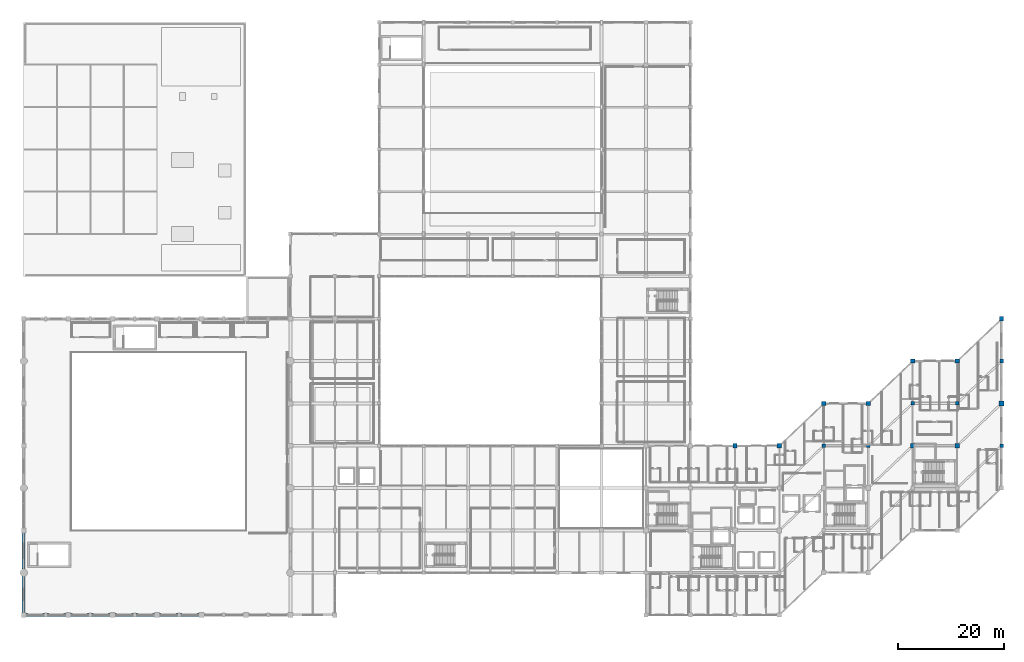
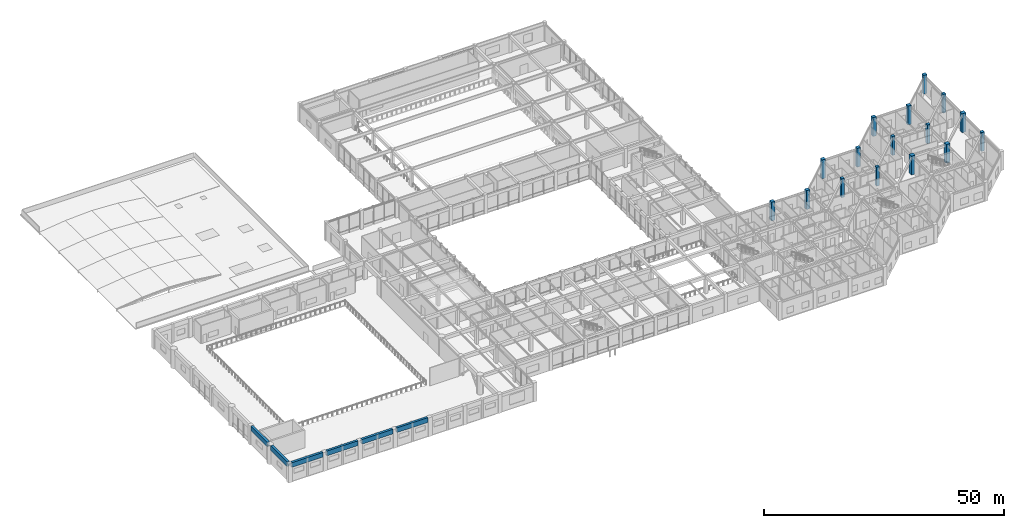
# One storey, part 10 of 76: 16 columns, 6 beams.
"""IFC4 building model written with IfcOpenShell, lengths in metres."""

import ifcopenshell
import ifcopenshell.guid

model = None  # the IFC model being written
_history = None  # IfcOwnerHistory: only IFC2X3 demands one
_inside = {}  # id of a spatial element -> (the spatial element, [elements in it])
_under = {}  # id of a project, library or spatial element -> (it, [spatial elements below it])
_declared = {}  # id of a project -> (the project, [libraries it declares])
_typed = {}  # id of a type object -> (the type object, [elements of that type])
_made_of = {}  # id of a material, layer set ... -> (it, [elements and type objects made of it])


def new_model(schema):
    """Start an empty IFC model of exactly this schema.

    Asked for "IFC4X3", IfcOpenShell would pick the latest addendum, in which some entities
    have other attributes; the version numbers below select the first issue.
    IFC2X3 requires an IfcOwnerHistory on every rooted entity: one is made here for all.
    """
    global model, _history
    if schema == "IFC4X3":
        model = ifcopenshell.file(schema_version=(4, 3, 0, 0))
    else:
        model = ifcopenshell.file(schema=schema)
    _inside.clear()
    _under.clear()
    _declared.clear()
    _typed.clear()
    _made_of.clear()
    _history = None
    if model.schema == "IFC2X3":
        org = make("IfcOrganization", Name="unknown")
        user = make(
            "IfcPersonAndOrganization",
            ThePerson=make("IfcPerson", FamilyName="unknown"),
            TheOrganization=org,
        )
        app = make(
            "IfcApplication",
            ApplicationDeveloper=org,
            Version="unknown",
            ApplicationFullName="unknown",
            ApplicationIdentifier="unknown",
        )
        _history = make(
            "IfcOwnerHistory",
            OwningUser=user,
            OwningApplication=app,
            ChangeAction="ADDED",
            CreationDate=0,
        )
    return model


def make(cls, **values):
    """One entity of the class cls with the attributes given. An attribute that is None is left unset."""
    return model.create_entity(
        cls, **{name: value for name, value in values.items() if value is not None}
    )


def rooted(cls, **values):
    """An entity with a GlobalId (a new one), such as an element, a storey or a relation."""
    return make(cls, GlobalId=ifcopenshell.guid.new(), OwnerHistory=_history, **values)


def si_unit(unit_type, name, prefix=None):
    """IfcSIUnit, for example si_unit("LENGTHUNIT", "METRE", prefix="MILLI")."""
    return make("IfcSIUnit", UnitType=unit_type, Prefix=prefix, Name=name)


def assignment(units):
    """IfcUnitAssignment: the units of a project."""
    return None if units is None else make("IfcUnitAssignment", Units=units)


def point(xyz):
    """IfcCartesianPoint."""
    return None if xyz is None else make("IfcCartesianPoint", Coordinates=xyz)


def direction(xyz):
    """IfcDirection."""
    return None if xyz is None else make("IfcDirection", DirectionRatios=xyz)


def frame(location, z_axis=None, x_axis=None):
    """IfcAxis2Placement3D, a coordinate frame: its origin and axes. An axis left out is left unset."""
    return make(
        "IfcAxis2Placement3D",
        Location=point(location),
        Axis=direction(z_axis),
        RefDirection=direction(x_axis),
    )


def frame_2d(location, x_axis=None):
    """IfcAxis2Placement2D, a coordinate frame in the plane: its origin and x axis."""
    return make(
        "IfcAxis2Placement2D", Location=point(location), RefDirection=direction(x_axis)
    )


def origin():
    """The frame at (0, 0, 0) with its axes left unset."""
    return frame((0.0, 0.0, 0.0))


def origin_2d():
    """The frame at (0, 0) in the plane with its x axis left unset."""
    return frame_2d((0.0, 0.0))


def place(relative_to, where):
    """IfcLocalPlacement: puts the frame where relative to a parent placement (None: the world)."""
    return make(
        "IfcLocalPlacement", PlacementRelTo=relative_to, RelativePlacement=where
    )


def context(
    kind, dimensions, precision=None, world=None, true_north=None, identifier=None
):
    """IfcGeometricRepresentationContext, for example the 3D "Model" context."""
    return make(
        "IfcGeometricRepresentationContext",
        ContextIdentifier=identifier,
        ContextType=kind,
        CoordinateSpaceDimension=dimensions,
        Precision=precision,
        WorldCoordinateSystem=world,
        TrueNorth=true_north,
    )


def subcontext(parent, identifier, kind, view, scale=None):
    """IfcGeometricRepresentationSubContext, for example "Body" below "Model"."""
    return make(
        "IfcGeometricRepresentationSubContext",
        ContextIdentifier=identifier,
        ContextType=kind,
        ParentContext=parent,
        TargetScale=scale,
        TargetView=view,
    )


def project(units=None, contexts=None):
    """IfcProject with its units and contexts."""
    return rooted(
        "IfcProject",
        Name="project",
        RepresentationContexts=contexts,
        UnitsInContext=assignment(units),
    )


def spatial(cls, under=None, at=None, **own):
    """A site, building, storey or space (cls), placed at a placement, below another one or the project."""
    s = rooted(cls, ObjectPlacement=at, **own)
    if under is not None:
        _under.setdefault(under.id(), (under, []))[1].append(s)
    return s


def profile(cls, at=None, kind="AREA", **sizes):
    """A parametric profile (cls). Its sizes go by their IFC names, for example OverallWidth=200.0."""
    return make(cls, ProfileType=kind, Position=at, **sizes)


def rectangle(**sizes):
    """IfcRectangleProfileDef."""
    return profile("IfcRectangleProfileDef", **sizes)


def hollow_rectangle(**sizes):
    """IfcRectangleHollowProfileDef."""
    return profile("IfcRectangleHollowProfileDef", **sizes)


def extrude(swept, where, along, depth):
    """IfcExtrudedAreaSolid: the profile swept, set in the frame where, extruded along a direction by depth."""
    return make(
        "IfcExtrudedAreaSolid",
        SweptArea=swept,
        Position=where,
        ExtrudedDirection=direction(along),
        Depth=depth,
    )


def shape(context_of_items, identifier, shape_type, items):
    """IfcShapeRepresentation: the items that make up one representation, for example the "Body"."""
    return make(
        "IfcShapeRepresentation",
        ContextOfItems=context_of_items,
        RepresentationIdentifier=identifier,
        RepresentationType=shape_type,
        Items=items,
    )


def material(Name=None, Category=None):
    """IfcMaterial."""
    return make("IfcMaterial", Name=Name, Category=Category)


def material_profile(
    of_material, cross_section, Name=None, Category=None, Priority=None
):
    """IfcMaterialProfile: a cross section and its material."""
    return make(
        "IfcMaterialProfile",
        Name=Name,
        Material=of_material,
        Profile=cross_section,
        Priority=Priority,
        Category=Category,
    )


def profile_set(profiles, Name=None, composite=None):
    """IfcMaterialProfileSet."""
    return make(
        "IfcMaterialProfileSet",
        Name=Name,
        MaterialProfiles=profiles,
        CompositeProfile=composite,
    )


def made_of(thing, what):
    """Note that an element or type object is made of a material, layer set ...; save() writes the relation."""
    if what is not None:
        _made_of.setdefault(what.id(), (what, []))[1].append(thing)
    return thing


def type_object(cls, material=None, **own):
    """A type object (cls), such as IfcWallType, which elements share."""
    return made_of(rooted(cls, **own), material)


def element(
    cls,
    number,
    at=None,
    inside=None,
    cuts=None,
    type_object=None,
    material=None,
    context=None,
    identifier="Body",
    shape_type=None,
    held_by="IfcProductDefinitionShape",
    body=None,
    shapes=None,
    **own,
):
    """One element of the class cls, such as IfcWall. Its Tag is "e" and its number.

    at: its placement. inside: the storey or other place that contains it. cuts: it is an
    opening in that element (IfcRelVoidsElement). A single representation is given by context,
    identifier, shape_type and body (its items); several are given by shapes. held_by: the class
    of the entity that holds the representations. save() writes the other relations.
    """
    e = rooted(cls, Tag="e%d" % number, ObjectPlacement=at, **own)
    if body is not None:
        shapes = [shape(context, identifier, shape_type, body)]
    if shapes is not None:
        e.Representation = make(held_by, Representations=shapes)
    if inside is not None:
        _inside.setdefault(inside.id(), (inside, []))[1].append(e)
    if cuts is not None:
        rooted(
            "IfcRelVoidsElement", RelatingBuildingElement=cuts, RelatedOpeningElement=e
        )
    if type_object is not None:
        _typed.setdefault(type_object.id(), (type_object, []))[1].append(e)
    return made_of(e, material)


def aggregate(whole, parts):
    """IfcRelAggregates: a whole, such as a stair, and the parts it consists of."""
    return rooted("IfcRelAggregates", RelatingObject=whole, RelatedObjects=parts)


def save(model, path):
    """Write the relations noted so far, then the file.

    IfcRelAggregates (storeys below a building ...), IfcRelContainedInSpatialStructure (elements
    in a storey), IfcRelDefinesByType, IfcRelAssociatesMaterial and IfcRelDeclares: one each for
    every whole, place, type object, material and project.
    """
    for whole, parts in _under.values():
        aggregate(whole, parts)
    for where, things in _inside.values():
        rooted(
            "IfcRelContainedInSpatialStructure",
            RelatedElements=things,
            RelatingStructure=where,
        )
    for kind, things in _typed.values():
        rooted("IfcRelDefinesByType", RelatedObjects=things, RelatingType=kind)
    for what, things in _made_of.values():
        rooted("IfcRelAssociatesMaterial", RelatedObjects=things, RelatingMaterial=what)
    for by, libraries in _declared.values():
        rooted("IfcRelDeclares", RelatingContext=by, RelatedDefinitions=libraries)
    model.write(path)


model = new_model("IFC4")

# Units and contexts
model_context = context("Model", 3, precision=1e-05, world=origin(), true_north=direction((0.0, 1.0)))
body_context = subcontext(model_context, "Body", "Model", "MODEL_VIEW")
ifc_project = project(units=[si_unit("LENGTHUNIT", "METRE"), si_unit("AREAUNIT", "SQUARE_METRE"), si_unit("VOLUMEUNIT", "CUBIC_METRE"), si_unit("PLANEANGLEUNIT", "RADIAN"), si_unit("MASSUNIT", "GRAM", prefix="KILO")], contexts=[model_context])

# Site, building, storey
site_placement = place(None, origin())
site = spatial("IfcSite", under=ifc_project, at=site_placement, CompositionType="ELEMENT")
building_placement = place(site_placement, origin())
building = spatial("IfcBuilding", under=site, at=building_placement, Name="Naruveol Harbour Congress Hotel", CompositionType="ELEMENT")
storey_placement = place(building_placement, frame((0.0, 0.0, 11.39990234375)))
storey = spatial("IfcBuildingStorey", under=building, at=storey_placement, Name="L02", CompositionType="ELEMENT", Elevation=11.39990234375)

# Columns
ifc_material_1 = material(Name="Concrete C40/50", Category="concrete")
ifc_material_profile_1 = material_profile(ifc_material_1, rectangle(XDim=0.699951171875, YDim=0.699951171875, at=origin_2d()), Name="RC-700x700")
ifc_profile_set_1 = profile_set([ifc_material_profile_1], Name="Concrete C40/50")
column_type_1 = type_object("IfcColumnType", Name="RC HOTEL COLUMN 700X700", PredefinedType="COLUMN", material=ifc_profile_set_1)
for number, where, z_axis, x_axis, name in (
    (1, (151.199951171875, 32.0, 0.0), (0.0, 0.0, 1.0), (1.0, 0.0, 0.0), "Planted hotel column C-700 L02 S4/J3"),
    (2, (159.60009765625, 32.0, 0.0), (0.0, 0.0, 1.0), (1.0, 0.0, 0.0), "Planted hotel column C-700 L02 S5/J3"),
    (3, (168.0, 40.0, 0.0), (0.0, 0.0, 1.0), (1.0, 0.0, 0.0), "Planted hotel column C-700 L02 S6/J3"),
    (4, (176.39990234375, 40.0, 0.0), (0.0, 0.0, 1.0), (1.0, 0.0, 0.0), "Planted hotel column C-700 L02 S7/J3"),
    (5, (184.800048828125, 32.0, 0.0), (0.0, 0.0, 1.0), (1.0, 0.0, 0.0), "Planted hotel column C-700 L02 S8/J1"),
    (6, (184.800048828125, 48.0, 0.0), (0.0, 0.0, 1.0), (1.0, 0.0, 0.0), "Planted hotel column C-700 L02 S8/J3"),
):
    element("IfcColumn", number, at=place(storey_placement, frame(where, z_axis=z_axis, x_axis=x_axis)), inside=storey, type_object=column_type_1, Name=name, PredefinedType="COLUMN", context=body_context, shape_type="SweptSolid", body=[
        extrude(rectangle(XDim=0.699951171875, YDim=0.699951171875, at=origin_2d()), origin(), (0.0, 0.0, 1.0), 4.800048828125),
    ])
ifc_material_2 = material(Name="Concrete C50/60", Category="concrete")
ifc_material_profile_2 = material_profile(ifc_material_2, rectangle(XDim=0.800048828125, YDim=0.800048828125, at=origin_2d()), Name="RC-800x800")
ifc_profile_set_2 = profile_set([ifc_material_profile_2], Name="Concrete C50/60")
column_type_2 = type_object("IfcColumnType", Name="RC PODIUM COLUMN 800X800", PredefinedType="COLUMN", material=ifc_profile_set_2)
for number, where, z_axis, x_axis, name in (
    (7, (134.39990234375, 32.0, 0.0), (0.0, 0.0, 1.0), (1.0, 0.0, 0.0), "Column C-800 L02 (134.4,32.0)"),
    (8, (142.800048828125, 32.0, 0.0), (0.0, 0.0, 1.0), (1.0, 0.0, 0.0), "Column C-800 L02 (142.8,32.0)"),
    (9, (151.199951171875, 40.0, 0.0), (0.0, 0.0, 1.0), (1.0, 0.0, 0.0), "Column C-800 L02 (151.2,40.0)"),
    (10, (159.60009765625, 40.0, 0.0), (0.0, 0.0, 1.0), (1.0, 0.0, 0.0), "Column C-800 L02 (159.6,40.0)"),
    (11, (168.0, 48.0, 0.0), (0.0, 0.0, 1.0), (1.0, 0.0, 0.0), "Column C-800 L02 (168.0,48.0)"),
    (12, (176.39990234375, 48.0, 0.0), (0.0, 0.0, 1.0), (1.0, 0.0, 0.0), "Column C-800 L02 (176.4,48.0)"),
    (13, (184.800048828125, 56.0, 0.0), (0.0, 0.0, 1.0), (1.0, 0.0, 0.0), "Column C-800 L02 (184.8,56.0)"),
):
    element("IfcColumn", number, at=place(storey_placement, frame(where, z_axis=z_axis, x_axis=x_axis)), inside=storey, type_object=column_type_2, Name=name, PredefinedType="COLUMN", context=body_context, shape_type="SweptSolid", body=[
        extrude(rectangle(XDim=0.800048828125, YDim=0.800048828125, at=origin_2d()), origin(), (0.0, 0.0, 1.0), 4.800048828125),
    ])
ifc_material_3 = material(Name="Concrete C50/60", Category="concrete")
ifc_material_profile_3 = material_profile(ifc_material_3, rectangle(XDim=0.89990234375, YDim=0.89990234375, at=origin_2d()), Name="RC-900x900")
ifc_profile_set_3 = profile_set([ifc_material_profile_3], Name="Concrete C50/60")
column_type_3 = type_object("IfcColumnType", Name="RC PRIMARY COLUMN 900X900", PredefinedType="COLUMN", material=ifc_profile_set_3)
for number, where, z_axis, x_axis, name in (
    (14, (168.0, 32.0, 0.0), (0.0, 0.0, 1.0), (1.0, 0.0, 0.0), "Column C-900 L02 (168.0,32.0)"),
    (15, (176.39990234375, 32.0, 0.0), (0.0, 0.0, 1.0), (1.0, 0.0, 0.0), "Column C-900 L02 (176.4,32.0)"),
    (16, (184.800048828125, 40.0, 0.0), (0.0, 0.0, 1.0), (1.0, 0.0, 0.0), "Column C-900 L02 (184.8,40.0)"),
):
    element("IfcColumn", number, at=place(storey_placement, frame(where, z_axis=z_axis, x_axis=x_axis)), inside=storey, type_object=column_type_3, Name=name, PredefinedType="COLUMN", context=body_context, shape_type="SweptSolid", body=[
        extrude(rectangle(XDim=0.89990234375, YDim=0.89990234375, at=origin_2d()), origin(), (0.0, 0.0, 1.0), 4.800048828125),
    ])

# Beams
ifc_material_4 = material(Name="Steel SN490", Category="steel")
ifc_material_profile_4 = material_profile(ifc_material_4, hollow_rectangle(XDim=0.550048828125, YDim=1.199951171875, WallThickness=0.028076171875, at=origin_2d()), Name="RHS-1200x550x28")
ifc_profile_set_4 = profile_set([ifc_material_profile_4], Name="Steel SN490")
beam_type = type_object("IfcBeamType", Name="STEEL RING BOX GIRDER 1200X550", PredefinedType="BEAM", material=ifc_profile_set_4)
for number, where, z_axis, x_axis, name in (
    (17, (0.446044921875, 0.0, 4.2001953125), (1.0, 0.0, 0.0), (0.0, 1.0, 0.0), "Congress ring girder RG1"),
    (18, (8.845947265625, 0.0, 4.2001953125), (1.0, 0.0, 0.0), (0.0, 1.0, 0.0), "Congress ring girder RG1"),
):
    element("IfcBeam", number, at=place(storey_placement, frame(where, z_axis=z_axis, x_axis=x_axis)), inside=storey, type_object=beam_type, Name=name, PredefinedType="BEAM", context=body_context, shape_type="SweptSolid", body=[
        extrude(hollow_rectangle(XDim=0.550048828125, YDim=1.199951171875, WallThickness=0.028076171875, at=origin_2d()), origin(), (0.0, 0.0, 1.0), 7.508056640625),
    ])
beam_1_placement = place(storey_placement, frame((17.24609375, 0.0, 4.2001953125), z_axis=(1.0, 0.0, 0.0), x_axis=(0.0, 1.0, 0.0)))
element("IfcBeam", 19, at=beam_1_placement, inside=storey, type_object=beam_type, Name="Congress ring girder RG1", PredefinedType="BEAM", context=body_context, shape_type="SweptSolid", body=[
    extrude(hollow_rectangle(XDim=0.550048828125, YDim=1.199951171875, WallThickness=0.028076171875, at=origin_2d()), origin(), (0.0, 0.0, 1.0), 7.5078125),
])
beam_2_placement = place(storey_placement, frame((25.64599609375, 0.0, 4.2001953125), z_axis=(1.0, 0.0, 0.0), x_axis=(0.0, 1.0, 0.0)))
element("IfcBeam", 20, at=beam_2_placement, inside=storey, type_object=beam_type, Name="Congress ring girder RG1", PredefinedType="BEAM", context=body_context, shape_type="SweptSolid", body=[
    extrude(hollow_rectangle(XDim=0.550048828125, YDim=1.199951171875, WallThickness=0.028076171875, at=origin_2d()), origin(), (0.0, 0.0, 1.0), 7.508056640625),
])
for number, where, z_axis, x_axis, name in (
    (21, (0.0, 0.446044921875, 4.2001953125), (0.0, 1.0, 0.0), (-1.0, 0.0, 0.0), "Congress ring girder RG1"),
    (22, (0.0, 8.696044921875, 4.2001953125), (0.0, 1.0, 0.0), (-1.0, 0.0, 0.0), "Congress ring girder RG1"),
):
    element("IfcBeam", number, at=place(storey_placement, frame(where, z_axis=z_axis, x_axis=x_axis)), inside=storey, type_object=beam_type, Name=name, PredefinedType="BEAM", context=body_context, shape_type="SweptSolid", body=[
        extrude(hollow_rectangle(XDim=0.550048828125, YDim=1.199951171875, WallThickness=0.028076171875, at=origin_2d()), origin(), (0.0, 0.0, 1.0), 6.85791015625),
    ])

save(model, "model.ifc")
